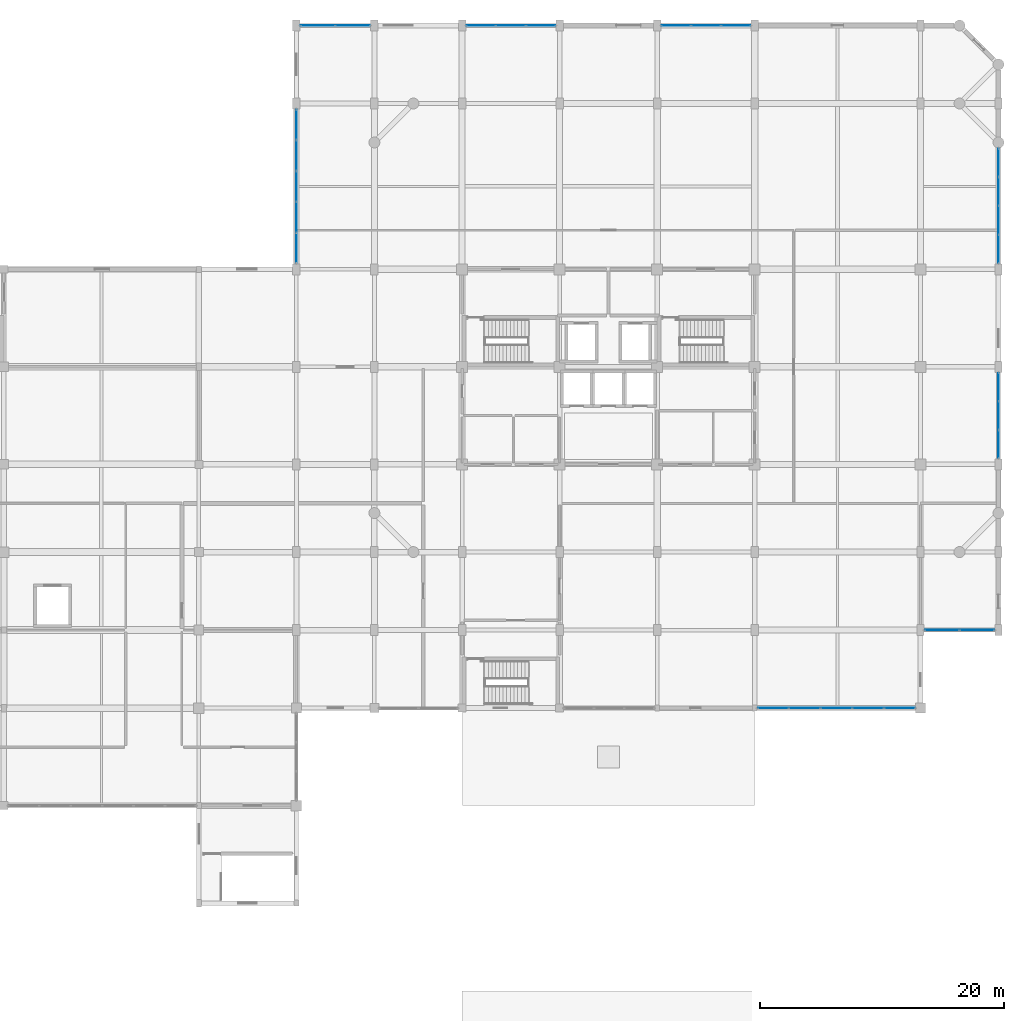
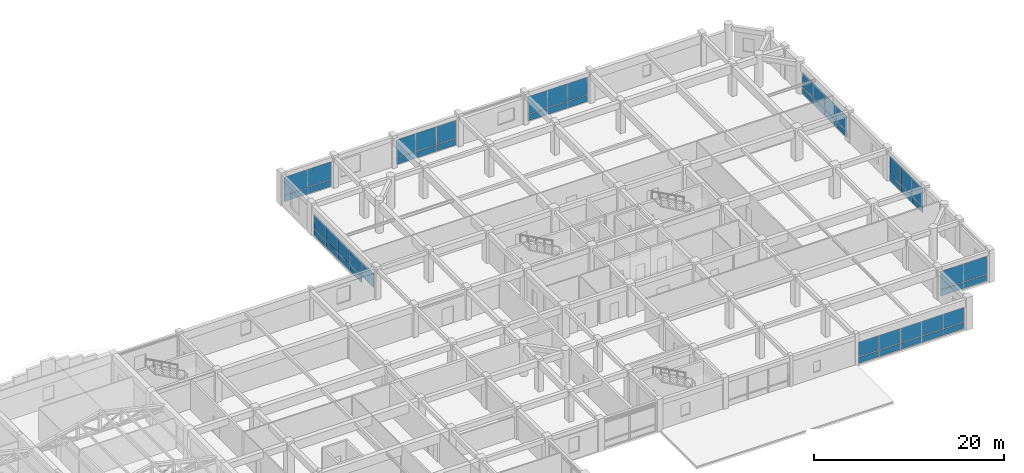
# One storey, part 21 of 35: 53 plates, 8 elements without a shape of their own.
"""IFC4 building model written with IfcOpenShell, lengths in metres."""

from ifc_helpers import new_model, si_unit, direction, frame, origin, origin_2d, place, context, subcontext, project, spatial, rectangle, extrude, material, layer, layer_set, type_object, element, aggregate, save


model = new_model("IFC4")

# Units and contexts
model_context = context("Model", 3, precision=1e-05, world=origin(), true_north=direction((0.0, 1.0)))
body_context = subcontext(model_context, "Body", "Model", "MODEL_VIEW")
ifc_project = project(units=[si_unit("LENGTHUNIT", "METRE"), si_unit("AREAUNIT", "SQUARE_METRE"), si_unit("VOLUMEUNIT", "CUBIC_METRE"), si_unit("PLANEANGLEUNIT", "RADIAN"), si_unit("MASSUNIT", "GRAM", prefix="KILO")], contexts=[model_context])

# Site, building, storey
site_placement = place(None, origin())
site = spatial("IfcSite", under=ifc_project, at=site_placement, CompositionType="ELEMENT")
building_placement = place(site_placement, origin())
building = spatial("IfcBuilding", under=site, at=building_placement, Name="Vellmiral Cinema and Media Centre", CompositionType="ELEMENT")
storey_placement = place(building_placement, frame((0.0, 0.0, 15.60009765625)))
storey = spatial("IfcBuildingStorey", under=building, at=storey_placement, Name="L03", CompositionType="ELEMENT", Elevation=15.60009765625)

# Curtain wall, plates
ifc_material_1 = material(Name="Thermally Broken Aluminium and Triple Glazing", Category="aluminium")
curtain_wall_type_1 = type_object("IfcCurtainWallType", Name="CW-LIB-BAY", PredefinedType="USERDEFINED", material=ifc_material_1)
curtain_wall_1_placement = place(storey_placement, origin())
curtain_wall_1 = element("IfcCurtainWall", 1, at=curtain_wall_1_placement, inside=storey, type_object=curtain_wall_type_1, Name="Curtain Wall L03-B018", ObjectType="STICK CURTAIN WALL", PredefinedType="USERDEFINED")
ifc_material_2 = material(Name="Laminated Studio Acoustic Glazing", Category="glass")
ifc_layer_1 = layer(ifc_material_2, 0.0439453125, Name="Laminated Studio Acoustic Glazing")
ifc_layer_set_1 = layer_set([ifc_layer_1], Name="Laminated Studio Acoustic Glazing")
plate_type_1 = type_object("IfcPlateType", Name="CWP-ACOUST-44", PredefinedType="CURTAIN_PANEL", material=ifc_layer_set_1)
plate_1_placement = place(storey_placement, frame((163.367431640625, 65.60009765625, 0.93505859375), z_axis=(0.0, 0.0, 1.0), x_axis=(1.0, 0.0, 0.0)))
plate_1 = element("IfcPlate", 2, at=plate_1_placement, type_object=plate_type_1, Name="CW-03 panel 1.2", PredefinedType="CURTAIN_PANEL", context=body_context, shape_type="SweptSolid", body=[
    extrude(rectangle(XDim=2.794921875, YDim=0.0439453125, at=origin_2d()), origin(), (0.0, 0.0, 1.0), 2.294921875),
])
plate_2_placement = place(storey_placement, frame((166.232421875, 65.60009765625, 0.93505859375), z_axis=(0.0, 0.0, 1.0), x_axis=(1.0, 0.0, 0.0)))
plate_2 = element("IfcPlate", 3, at=plate_2_placement, type_object=plate_type_1, Name="CW-03 panel 2.2", PredefinedType="CURTAIN_PANEL", context=body_context, shape_type="SweptSolid", body=[
    extrude(rectangle(XDim=2.794921875, YDim=0.0439453125, at=origin_2d()), origin(), (0.0, 0.0, 1.0), 2.294921875),
])

curtain_wall_2_placement = place(storey_placement, origin())
curtain_wall_2 = element("IfcCurtainWall", 4, at=curtain_wall_2_placement, inside=storey, type_object=curtain_wall_type_1, Name="Curtain Wall L03-B022", ObjectType="STICK CURTAIN WALL", PredefinedType="USERDEFINED")
plate_3_placement = place(storey_placement, frame((168.0, 80.850830078125, 0.93505859375), z_axis=(0.0, 0.0, 1.0), x_axis=(0.0, 1.0, 0.0)))
plate_3 = element("IfcPlate", 5, at=plate_3_placement, type_object=plate_type_1, Name="CW-03 panel 1.2", PredefinedType="CURTAIN_PANEL", context=body_context, shape_type="SweptSolid", body=[
    extrude(rectangle(XDim=2.26171875, YDim=0.0439453125, at=origin_2d()), origin(), (0.0, 0.0, 1.0), 2.294921875),
])
plate_4_placement = place(storey_placement, frame((168.0, 83.199951171875, 0.93505859375), z_axis=(0.0, 0.0, 1.0), x_axis=(0.0, 1.0, 0.0)))
plate_4 = element("IfcPlate", 6, at=plate_4_placement, type_object=plate_type_1, Name="CW-03 panel 2.2", PredefinedType="CURTAIN_PANEL", context=body_context, shape_type="SweptSolid", body=[
    extrude(rectangle(XDim=2.296630859375, YDim=0.0439453125, at=origin_2d()), origin(), (0.0, 0.0, 1.0), 2.294921875),
])
plate_5_placement = place(storey_placement, frame((168.0, 85.549072265625, 0.93505859375), z_axis=(0.0, 0.0, 1.0), x_axis=(0.0, 1.0, 0.0)))
plate_5 = element("IfcPlate", 7, at=plate_5_placement, type_object=plate_type_1, Name="CW-03 panel 3.2", PredefinedType="CURTAIN_PANEL", context=body_context, shape_type="SweptSolid", body=[
    extrude(rectangle(XDim=2.26171875, YDim=0.0439453125, at=origin_2d()), origin(), (0.0, 0.0, 1.0), 2.294921875),
])

curtain_wall_3_placement = place(storey_placement, origin())
curtain_wall_3 = element("IfcCurtainWall", 8, at=curtain_wall_3_placement, inside=storey, type_object=curtain_wall_type_1, Name="Curtain Wall L03-B024", ObjectType="STICK CURTAIN WALL", PredefinedType="USERDEFINED")
plate_6_placement = place(storey_placement, frame((168.0, 96.85498046875, 0.93505859375), z_axis=(0.0, 0.0, 1.0), x_axis=(0.0, 1.0, 0.0)))
plate_6 = element("IfcPlate", 9, at=plate_6_placement, type_object=plate_type_1, Name="CW-03 panel 1.2", PredefinedType="CURTAIN_PANEL", context=body_context, shape_type="SweptSolid", body=[
    extrude(rectangle(XDim=2.27001953125, YDim=0.0439453125, at=origin_2d()), origin(), (0.0, 0.0, 1.0), 1.8798828125),
])
plate_7_placement = place(storey_placement, frame((168.0, 99.21240234375, 0.93505859375), z_axis=(0.0, 0.0, 1.0), x_axis=(0.0, 1.0, 0.0)))
plate_7 = element("IfcPlate", 10, at=plate_7_placement, type_object=plate_type_1, Name="CW-03 panel 2.2", PredefinedType="CURTAIN_PANEL", context=body_context, shape_type="SweptSolid", body=[
    extrude(rectangle(XDim=2.304931640625, YDim=0.0439453125, at=origin_2d()), origin(), (0.0, 0.0, 1.0), 1.8798828125),
])
plate_8_placement = place(storey_placement, frame((168.0, 101.58740234375, 0.93505859375), z_axis=(0.0, 0.0, 1.0), x_axis=(0.0, 1.0, 0.0)))
plate_8 = element("IfcPlate", 11, at=plate_8_placement, type_object=plate_type_1, Name="CW-03 panel 3.2", PredefinedType="CURTAIN_PANEL", context=body_context, shape_type="SweptSolid", body=[
    extrude(rectangle(XDim=2.304931640625, YDim=0.0439453125, at=origin_2d()), origin(), (0.0, 0.0, 1.0), 1.8798828125),
])
plate_9_placement = place(storey_placement, frame((168.0, 103.945068359375, 0.93505859375), z_axis=(0.0, 0.0, 1.0), x_axis=(0.0, 1.0, 0.0)))
plate_9 = element("IfcPlate", 12, at=plate_9_placement, type_object=plate_type_1, Name="CW-03 panel 4.2", PredefinedType="CURTAIN_PANEL", context=body_context, shape_type="SweptSolid", body=[
    extrude(rectangle(XDim=2.27001953125, YDim=0.0439453125, at=origin_2d()), origin(), (0.0, 0.0, 1.0), 1.8798828125),
])

curtain_wall_4_placement = place(storey_placement, origin())
curtain_wall_4 = element("IfcCurtainWall", 13, at=curtain_wall_4_placement, inside=storey, type_object=curtain_wall_type_1, Name="Curtain Wall L03-B030", ObjectType="STICK CURTAIN WALL", PredefinedType="USERDEFINED")
plate_10_placement = place(storey_placement, frame((146.44921875, 115.199951171875, 0.93505859375), z_axis=(0.0, 0.0, 1.0), x_axis=(-1.0, 0.0, 0.0)))
plate_10 = element("IfcPlate", 14, at=plate_10_placement, type_object=plate_type_1, Name="CW-03 panel 1.2", PredefinedType="CURTAIN_PANEL", context=body_context, shape_type="SweptSolid", body=[
    extrude(rectangle(XDim=2.361572265625, YDim=0.0439453125, at=origin_2d()), origin(), (0.0, 0.0, 1.0), 2.280029296875),
])
plate_11_placement = place(storey_placement, frame((144.0, 115.199951171875, 0.93505859375), z_axis=(0.0, 0.0, 1.0), x_axis=(-1.0, 0.0, 0.0)))
plate_11 = element("IfcPlate", 15, at=plate_11_placement, type_object=plate_type_1, Name="CW-03 panel 2.2", PredefinedType="CURTAIN_PANEL", context=body_context, shape_type="SweptSolid", body=[
    extrude(rectangle(XDim=2.396728515625, YDim=0.0439453125, at=origin_2d()), origin(), (0.0, 0.0, 1.0), 2.280029296875),
])
plate_12_placement = place(storey_placement, frame((141.55078125, 115.199951171875, 0.93505859375), z_axis=(0.0, 0.0, 1.0), x_axis=(-1.0, 0.0, 0.0)))
plate_12 = element("IfcPlate", 16, at=plate_12_placement, type_object=plate_type_1, Name="CW-03 panel 3.2", PredefinedType="CURTAIN_PANEL", context=body_context, shape_type="SweptSolid", body=[
    extrude(rectangle(XDim=2.361572265625, YDim=0.0439453125, at=origin_2d()), origin(), (0.0, 0.0, 1.0), 2.280029296875),
])

curtain_wall_5_placement = place(storey_placement, origin())
curtain_wall_5 = element("IfcCurtainWall", 17, at=curtain_wall_5_placement, inside=storey, type_object=curtain_wall_type_1, Name="Curtain Wall L03-B032", ObjectType="STICK CURTAIN WALL", PredefinedType="USERDEFINED")
plate_13_placement = place(storey_placement, frame((130.44921875, 115.199951171875, 0.93505859375), z_axis=(0.0, 0.0, 1.0), x_axis=(-1.0, 0.0, 0.0)))
plate_13 = element("IfcPlate", 18, at=plate_13_placement, type_object=plate_type_1, Name="CW-03 panel 1.2", PredefinedType="CURTAIN_PANEL", context=body_context, shape_type="SweptSolid", body=[
    extrude(rectangle(XDim=2.361572265625, YDim=0.0439453125, at=origin_2d()), origin(), (0.0, 0.0, 1.0), 2.294921875),
])
plate_14_placement = place(storey_placement, frame((128.0, 115.199951171875, 0.93505859375), z_axis=(0.0, 0.0, 1.0), x_axis=(-1.0, 0.0, 0.0)))
plate_14 = element("IfcPlate", 19, at=plate_14_placement, type_object=plate_type_1, Name="CW-03 panel 2.2", PredefinedType="CURTAIN_PANEL", context=body_context, shape_type="SweptSolid", body=[
    extrude(rectangle(XDim=2.396728515625, YDim=0.0439453125, at=origin_2d()), origin(), (0.0, 0.0, 1.0), 2.294921875),
])
plate_15_placement = place(storey_placement, frame((125.55078125, 115.199951171875, 0.93505859375), z_axis=(0.0, 0.0, 1.0), x_axis=(-1.0, 0.0, 0.0)))
plate_15 = element("IfcPlate", 20, at=plate_15_placement, type_object=plate_type_1, Name="CW-03 panel 3.2", PredefinedType="CURTAIN_PANEL", context=body_context, shape_type="SweptSolid", body=[
    extrude(rectangle(XDim=2.361572265625, YDim=0.0439453125, at=origin_2d()), origin(), (0.0, 0.0, 1.0), 2.294921875),
])

curtain_wall_6_placement = place(storey_placement, origin())
curtain_wall_6 = element("IfcCurtainWall", 21, at=curtain_wall_6_placement, inside=storey, type_object=curtain_wall_type_1, Name="Curtain Wall L03-B034", ObjectType="STICK CURTAIN WALL", PredefinedType="USERDEFINED")
plate_16_placement = place(storey_placement, frame((115.032470703125, 115.199951171875, 0.93505859375), z_axis=(0.0, 0.0, 1.0), x_axis=(-1.0, 0.0, 0.0)))
plate_16 = element("IfcPlate", 22, at=plate_16_placement, type_object=plate_type_1, Name="CW-03 panel 1.2", PredefinedType="CURTAIN_PANEL", context=body_context, shape_type="SweptSolid", body=[
    extrude(rectangle(XDim=2.794921875, YDim=0.0439453125, at=origin_2d()), origin(), (0.0, 0.0, 1.0), 2.294921875),
])
plate_17_placement = place(storey_placement, frame((112.16748046875, 115.199951171875, 0.93505859375), z_axis=(0.0, 0.0, 1.0), x_axis=(-1.0, 0.0, 0.0)))
plate_17 = element("IfcPlate", 23, at=plate_17_placement, type_object=plate_type_1, Name="CW-03 panel 2.2", PredefinedType="CURTAIN_PANEL", context=body_context, shape_type="SweptSolid", body=[
    extrude(rectangle(XDim=2.794921875, YDim=0.0439453125, at=origin_2d()), origin(), (0.0, 0.0, 1.0), 2.294921875),
])

curtain_wall_7_placement = place(storey_placement, origin())
curtain_wall_7 = element("IfcCurtainWall", 24, at=curtain_wall_7_placement, inside=storey, type_object=curtain_wall_type_1, Name="Curtain Wall L03-B036", ObjectType="STICK CURTAIN WALL", PredefinedType="USERDEFINED")
plate_18_placement = place(storey_placement, frame((110.39990234375, 107.0625, 0.934814453125), z_axis=(0.0, 0.0, 1.0), x_axis=(0.0, -1.0, 0.0)))
plate_18 = element("IfcPlate", 25, at=plate_18_placement, type_object=plate_type_1, Name="CW-03 panel 1.2", PredefinedType="CURTAIN_PANEL", context=body_context, shape_type="SweptSolid", body=[
    extrude(rectangle(XDim=2.43505859375, YDim=0.0439453125, at=origin_2d()), origin(), (0.0, 0.0, 1.0), 1.830078125),
])
plate_19_placement = place(storey_placement, frame((110.39990234375, 104.5400390625, 0.934814453125), z_axis=(0.0, 0.0, 1.0), x_axis=(0.0, -1.0, 0.0)))
plate_19 = element("IfcPlate", 26, at=plate_19_placement, type_object=plate_type_1, Name="CW-03 panel 2.2", PredefinedType="CURTAIN_PANEL", context=body_context, shape_type="SweptSolid", body=[
    extrude(rectangle(XDim=2.469970703125, YDim=0.0439453125, at=origin_2d()), origin(), (0.0, 0.0, 1.0), 1.830078125),
])
plate_20_placement = place(storey_placement, frame((110.39990234375, 102.0, 0.934814453125), z_axis=(0.0, 0.0, 1.0), x_axis=(0.0, -1.0, 0.0)))
plate_20 = element("IfcPlate", 27, at=plate_20_placement, type_object=plate_type_1, Name="CW-03 panel 3.2", PredefinedType="CURTAIN_PANEL", context=body_context, shape_type="SweptSolid", body=[
    extrude(rectangle(XDim=2.469970703125, YDim=0.0439453125, at=origin_2d()), origin(), (0.0, 0.0, 1.0), 1.830078125),
])
plate_21_placement = place(storey_placement, frame((110.39990234375, 99.4599609375, 0.934814453125), z_axis=(0.0, 0.0, 1.0), x_axis=(0.0, -1.0, 0.0)))
plate_21 = element("IfcPlate", 28, at=plate_21_placement, type_object=plate_type_1, Name="CW-03 panel 4.2", PredefinedType="CURTAIN_PANEL", context=body_context, shape_type="SweptSolid", body=[
    extrude(rectangle(XDim=2.469970703125, YDim=0.0439453125, at=origin_2d()), origin(), (0.0, 0.0, 1.0), 1.830078125),
])
plate_22_placement = place(storey_placement, frame((110.39990234375, 96.9375, 0.934814453125), z_axis=(0.0, 0.0, 1.0), x_axis=(0.0, -1.0, 0.0)))
plate_22 = element("IfcPlate", 29, at=plate_22_placement, type_object=plate_type_1, Name="CW-03 panel 5.2", PredefinedType="CURTAIN_PANEL", context=body_context, shape_type="SweptSolid", body=[
    extrude(rectangle(XDim=2.43505859375, YDim=0.0439453125, at=origin_2d()), origin(), (0.0, 0.0, 1.0), 1.830078125),
])

# Plate
ifc_material_3 = material(Name="Honed Vosges Sandstone Spandrel Panel", Category="masonry")
ifc_layer_2 = layer(ifc_material_3, 0.06005859375, Name="Honed Vosges Sandstone Spandrel Panel")
ifc_layer_set_2 = layer_set([ifc_layer_2], Name="Honed Vosges Sandstone Spandrel Panel")
plate_type_2 = type_object("IfcPlateType", Name="CWP-SAND-60", PredefinedType="CURTAIN_PANEL", material=ifc_layer_set_2)
plate_23_placement = place(storey_placement, frame((163.367431640625, 65.60009765625, 0.06982421875), z_axis=(0.0, 0.0, 1.0), x_axis=(1.0, 0.0, 0.0)))
plate_23 = element("IfcPlate", 30, at=plate_23_placement, type_object=plate_type_2, Name="CW-03 panel 1.1", PredefinedType="CURTAIN_PANEL", context=body_context, shape_type="SweptSolid", body=[
    extrude(rectangle(XDim=2.794921875, YDim=0.06005859375, at=origin_2d()), origin(), (0.0, 0.0, 1.0), 0.794921875),
])

plate_24_placement = place(storey_placement, frame((166.232421875, 65.60009765625, 0.06982421875), z_axis=(0.0, 0.0, 1.0), x_axis=(1.0, 0.0, 0.0)))
plate_24 = element("IfcPlate", 31, at=plate_24_placement, type_object=plate_type_2, Name="CW-03 panel 2.1", PredefinedType="CURTAIN_PANEL", context=body_context, shape_type="SweptSolid", body=[
    extrude(rectangle(XDim=2.794921875, YDim=0.06005859375, at=origin_2d()), origin(), (0.0, 0.0, 1.0), 0.794921875),
])

aggregate(curtain_wall_1, [plate_23, plate_1, plate_24, plate_2])

plate_25_placement = place(storey_placement, frame((168.0, 80.850830078125, 0.06982421875), z_axis=(0.0, 0.0, 1.0), x_axis=(0.0, 1.0, 0.0)))
plate_25 = element("IfcPlate", 32, at=plate_25_placement, type_object=plate_type_2, Name="CW-03 panel 1.1", PredefinedType="CURTAIN_PANEL", context=body_context, shape_type="SweptSolid", body=[
    extrude(rectangle(XDim=2.26171875, YDim=0.06005859375, at=origin_2d()), origin(), (0.0, 0.0, 1.0), 0.794921875),
])

plate_26_placement = place(storey_placement, frame((168.0, 83.199951171875, 0.06982421875), z_axis=(0.0, 0.0, 1.0), x_axis=(0.0, 1.0, 0.0)))
plate_26 = element("IfcPlate", 33, at=plate_26_placement, type_object=plate_type_2, Name="CW-03 panel 2.1", PredefinedType="CURTAIN_PANEL", context=body_context, shape_type="SweptSolid", body=[
    extrude(rectangle(XDim=2.296630859375, YDim=0.06005859375, at=origin_2d()), origin(), (0.0, 0.0, 1.0), 0.794921875),
])

plate_27_placement = place(storey_placement, frame((168.0, 85.549072265625, 0.06982421875), z_axis=(0.0, 0.0, 1.0), x_axis=(0.0, 1.0, 0.0)))
plate_27 = element("IfcPlate", 34, at=plate_27_placement, type_object=plate_type_2, Name="CW-03 panel 3.1", PredefinedType="CURTAIN_PANEL", context=body_context, shape_type="SweptSolid", body=[
    extrude(rectangle(XDim=2.26171875, YDim=0.06005859375, at=origin_2d()), origin(), (0.0, 0.0, 1.0), 0.794921875),
])

aggregate(curtain_wall_2, [plate_25, plate_3, plate_26, plate_4, plate_27, plate_5])

plate_28_placement = place(storey_placement, frame((168.0, 96.85498046875, 0.06982421875), z_axis=(0.0, 0.0, 1.0), x_axis=(0.0, 1.0, 0.0)))
plate_28 = element("IfcPlate", 35, at=plate_28_placement, type_object=plate_type_2, Name="CW-03 panel 1.1", PredefinedType="CURTAIN_PANEL", context=body_context, shape_type="SweptSolid", body=[
    extrude(rectangle(XDim=2.27001953125, YDim=0.06005859375, at=origin_2d()), origin(), (0.0, 0.0, 1.0), 0.794921875),
])

plate_29_placement = place(storey_placement, frame((168.0, 99.21240234375, 0.06982421875), z_axis=(0.0, 0.0, 1.0), x_axis=(0.0, 1.0, 0.0)))
plate_29 = element("IfcPlate", 36, at=plate_29_placement, type_object=plate_type_2, Name="CW-03 panel 2.1", PredefinedType="CURTAIN_PANEL", context=body_context, shape_type="SweptSolid", body=[
    extrude(rectangle(XDim=2.304931640625, YDim=0.06005859375, at=origin_2d()), origin(), (0.0, 0.0, 1.0), 0.794921875),
])

plate_30_placement = place(storey_placement, frame((168.0, 101.58740234375, 0.06982421875), z_axis=(0.0, 0.0, 1.0), x_axis=(0.0, 1.0, 0.0)))
plate_30 = element("IfcPlate", 37, at=plate_30_placement, type_object=plate_type_2, Name="CW-03 panel 3.1", PredefinedType="CURTAIN_PANEL", context=body_context, shape_type="SweptSolid", body=[
    extrude(rectangle(XDim=2.304931640625, YDim=0.06005859375, at=origin_2d()), origin(), (0.0, 0.0, 1.0), 0.794921875),
])

plate_31_placement = place(storey_placement, frame((168.0, 103.945068359375, 0.06982421875), z_axis=(0.0, 0.0, 1.0), x_axis=(0.0, 1.0, 0.0)))
plate_31 = element("IfcPlate", 38, at=plate_31_placement, type_object=plate_type_2, Name="CW-03 panel 4.1", PredefinedType="CURTAIN_PANEL", context=body_context, shape_type="SweptSolid", body=[
    extrude(rectangle(XDim=2.27001953125, YDim=0.06005859375, at=origin_2d()), origin(), (0.0, 0.0, 1.0), 0.794921875),
])

aggregate(curtain_wall_3, [plate_28, plate_6, plate_29, plate_7, plate_30, plate_8, plate_31, plate_9])

plate_32_placement = place(storey_placement, frame((146.44921875, 115.199951171875, 0.06982421875), z_axis=(0.0, 0.0, 1.0), x_axis=(-1.0, 0.0, 0.0)))
plate_32 = element("IfcPlate", 39, at=plate_32_placement, type_object=plate_type_2, Name="CW-03 panel 1.1", PredefinedType="CURTAIN_PANEL", context=body_context, shape_type="SweptSolid", body=[
    extrude(rectangle(XDim=2.361572265625, YDim=0.06005859375, at=origin_2d()), origin(), (0.0, 0.0, 1.0), 0.794921875),
])

plate_33_placement = place(storey_placement, frame((144.0, 115.199951171875, 0.06982421875), z_axis=(0.0, 0.0, 1.0), x_axis=(-1.0, 0.0, 0.0)))
plate_33 = element("IfcPlate", 40, at=plate_33_placement, type_object=plate_type_2, Name="CW-03 panel 2.1", PredefinedType="CURTAIN_PANEL", context=body_context, shape_type="SweptSolid", body=[
    extrude(rectangle(XDim=2.396728515625, YDim=0.06005859375, at=origin_2d()), origin(), (0.0, 0.0, 1.0), 0.794921875),
])

plate_34_placement = place(storey_placement, frame((141.55078125, 115.199951171875, 0.06982421875), z_axis=(0.0, 0.0, 1.0), x_axis=(-1.0, 0.0, 0.0)))
plate_34 = element("IfcPlate", 41, at=plate_34_placement, type_object=plate_type_2, Name="CW-03 panel 3.1", PredefinedType="CURTAIN_PANEL", context=body_context, shape_type="SweptSolid", body=[
    extrude(rectangle(XDim=2.361572265625, YDim=0.06005859375, at=origin_2d()), origin(), (0.0, 0.0, 1.0), 0.794921875),
])

aggregate(curtain_wall_4, [plate_32, plate_10, plate_33, plate_11, plate_34, plate_12])

plate_35_placement = place(storey_placement, frame((130.44921875, 115.199951171875, 0.06982421875), z_axis=(0.0, 0.0, 1.0), x_axis=(-1.0, 0.0, 0.0)))
plate_35 = element("IfcPlate", 42, at=plate_35_placement, type_object=plate_type_2, Name="CW-03 panel 1.1", PredefinedType="CURTAIN_PANEL", context=body_context, shape_type="SweptSolid", body=[
    extrude(rectangle(XDim=2.361572265625, YDim=0.06005859375, at=origin_2d()), origin(), (0.0, 0.0, 1.0), 0.794921875),
])

plate_36_placement = place(storey_placement, frame((128.0, 115.199951171875, 0.06982421875), z_axis=(0.0, 0.0, 1.0), x_axis=(-1.0, 0.0, 0.0)))
plate_36 = element("IfcPlate", 43, at=plate_36_placement, type_object=plate_type_2, Name="CW-03 panel 2.1", PredefinedType="CURTAIN_PANEL", context=body_context, shape_type="SweptSolid", body=[
    extrude(rectangle(XDim=2.396728515625, YDim=0.06005859375, at=origin_2d()), origin(), (0.0, 0.0, 1.0), 0.794921875),
])

plate_37_placement = place(storey_placement, frame((125.55078125, 115.199951171875, 0.06982421875), z_axis=(0.0, 0.0, 1.0), x_axis=(-1.0, 0.0, 0.0)))
plate_37 = element("IfcPlate", 44, at=plate_37_placement, type_object=plate_type_2, Name="CW-03 panel 3.1", PredefinedType="CURTAIN_PANEL", context=body_context, shape_type="SweptSolid", body=[
    extrude(rectangle(XDim=2.361572265625, YDim=0.06005859375, at=origin_2d()), origin(), (0.0, 0.0, 1.0), 0.794921875),
])

aggregate(curtain_wall_5, [plate_35, plate_13, plate_36, plate_14, plate_37, plate_15])

plate_38_placement = place(storey_placement, frame((115.032470703125, 115.199951171875, 0.06982421875), z_axis=(0.0, 0.0, 1.0), x_axis=(-1.0, 0.0, 0.0)))
plate_38 = element("IfcPlate", 45, at=plate_38_placement, type_object=plate_type_2, Name="CW-03 panel 1.1", PredefinedType="CURTAIN_PANEL", context=body_context, shape_type="SweptSolid", body=[
    extrude(rectangle(XDim=2.794921875, YDim=0.06005859375, at=origin_2d()), origin(), (0.0, 0.0, 1.0), 0.794921875),
])

plate_39_placement = place(storey_placement, frame((112.16748046875, 115.199951171875, 0.06982421875), z_axis=(0.0, 0.0, 1.0), x_axis=(-1.0, 0.0, 0.0)))
plate_39 = element("IfcPlate", 46, at=plate_39_placement, type_object=plate_type_2, Name="CW-03 panel 2.1", PredefinedType="CURTAIN_PANEL", context=body_context, shape_type="SweptSolid", body=[
    extrude(rectangle(XDim=2.794921875, YDim=0.06005859375, at=origin_2d()), origin(), (0.0, 0.0, 1.0), 0.794921875),
])

aggregate(curtain_wall_6, [plate_38, plate_16, plate_39, plate_17])

plate_40_placement = place(storey_placement, frame((110.39990234375, 107.0625, 0.06982421875), z_axis=(0.0, 0.0, 1.0), x_axis=(0.0, -1.0, 0.0)))
plate_40 = element("IfcPlate", 47, at=plate_40_placement, type_object=plate_type_2, Name="CW-03 panel 1.1", PredefinedType="CURTAIN_PANEL", context=body_context, shape_type="SweptSolid", body=[
    extrude(rectangle(XDim=2.43505859375, YDim=0.06005859375, at=origin_2d()), origin(), (0.0, 0.0, 1.0), 0.794921875),
])

plate_41_placement = place(storey_placement, frame((110.39990234375, 104.5400390625, 0.06982421875), z_axis=(0.0, 0.0, 1.0), x_axis=(0.0, -1.0, 0.0)))
plate_41 = element("IfcPlate", 48, at=plate_41_placement, type_object=plate_type_2, Name="CW-03 panel 2.1", PredefinedType="CURTAIN_PANEL", context=body_context, shape_type="SweptSolid", body=[
    extrude(rectangle(XDim=2.469970703125, YDim=0.06005859375, at=origin_2d()), origin(), (0.0, 0.0, 1.0), 0.794921875),
])

plate_42_placement = place(storey_placement, frame((110.39990234375, 102.0, 0.06982421875), z_axis=(0.0, 0.0, 1.0), x_axis=(0.0, -1.0, 0.0)))
plate_42 = element("IfcPlate", 49, at=plate_42_placement, type_object=plate_type_2, Name="CW-03 panel 3.1", PredefinedType="CURTAIN_PANEL", context=body_context, shape_type="SweptSolid", body=[
    extrude(rectangle(XDim=2.469970703125, YDim=0.06005859375, at=origin_2d()), origin(), (0.0, 0.0, 1.0), 0.794921875),
])

plate_43_placement = place(storey_placement, frame((110.39990234375, 99.4599609375, 0.06982421875), z_axis=(0.0, 0.0, 1.0), x_axis=(0.0, -1.0, 0.0)))
plate_43 = element("IfcPlate", 50, at=plate_43_placement, type_object=plate_type_2, Name="CW-03 panel 4.1", PredefinedType="CURTAIN_PANEL", context=body_context, shape_type="SweptSolid", body=[
    extrude(rectangle(XDim=2.469970703125, YDim=0.06005859375, at=origin_2d()), origin(), (0.0, 0.0, 1.0), 0.794921875),
])

aggregate(curtain_wall_7, [plate_40, plate_18, plate_41, plate_19, plate_42, plate_20, plate_43, plate_21, plate_22])

# Curtain wall, plates
ifc_material_4 = material(Name="Thermally Broken Aluminium and Triple Glazing", Category="aluminium")
curtain_wall_type_2 = type_object("IfcCurtainWallType", Name="CW-POD-GALLERY", PredefinedType="USERDEFINED", material=ifc_material_4)
curtain_wall_8_placement = place(storey_placement, origin())
curtain_wall_8 = element("IfcCurtainWall", 51, at=curtain_wall_8_placement, inside=storey, type_object=curtain_wall_type_2, Name="Curtain Wall L03-B016", ObjectType="STICK CURTAIN WALL", PredefinedType="USERDEFINED")
ifc_material_5 = material(Name="Polychrome Trencadis Ceramic Spandrel Panel", Category="ceramic")
ifc_layer_3 = layer(ifc_material_5, 0.052001953125, Name="Polychrome Trencadis Ceramic Spandrel Panel")
ifc_layer_set_3 = layer_set([ifc_layer_3], Name="Polychrome Trencadis Ceramic Spandrel Panel")
plate_type_3 = type_object("IfcPlateType", Name="CWP-TRENC-52", PredefinedType="CURTAIN_PANEL", material=ifc_layer_set_3)
plate_44_placement = place(storey_placement, frame((149.517578125, 59.199951171875, 0.06982421875), z_axis=(0.0, 0.0, 1.0), x_axis=(1.0, 0.0, 0.0)))
plate_44 = element("IfcPlate", 52, at=plate_44_placement, type_object=plate_type_3, Name="CW-04 panel 1.1", PredefinedType="CURTAIN_PANEL", context=body_context, shape_type="SweptSolid", body=[
    extrude(rectangle(XDim=2.4951171875, YDim=0.052001953125, at=origin_2d()), origin(), (0.0, 0.0, 1.0), 0.794921875),
])
plate_45_placement = place(storey_placement, frame((152.10009765625, 59.199951171875, 0.06982421875), z_axis=(0.0, 0.0, 1.0), x_axis=(1.0, 0.0, 0.0)))
plate_45 = element("IfcPlate", 53, at=plate_45_placement, type_object=plate_type_3, Name="CW-04 panel 2.1", PredefinedType="CURTAIN_PANEL", context=body_context, shape_type="SweptSolid", body=[
    extrude(rectangle(XDim=2.530029296875, YDim=0.052001953125, at=origin_2d()), origin(), (0.0, 0.0, 1.0), 0.794921875),
])
plate_46_placement = place(storey_placement, frame((154.699951171875, 59.199951171875, 0.06982421875), z_axis=(0.0, 0.0, 1.0), x_axis=(1.0, 0.0, 0.0)))
plate_46 = element("IfcPlate", 54, at=plate_46_placement, type_object=plate_type_3, Name="CW-04 panel 3.1", PredefinedType="CURTAIN_PANEL", context=body_context, shape_type="SweptSolid", body=[
    extrude(rectangle(XDim=2.530029296875, YDim=0.052001953125, at=origin_2d()), origin(), (0.0, 0.0, 1.0), 0.794921875),
])
plate_47_placement = place(storey_placement, frame((157.300048828125, 59.199951171875, 0.06982421875), z_axis=(0.0, 0.0, 1.0), x_axis=(1.0, 0.0, 0.0)))
plate_47 = element("IfcPlate", 55, at=plate_47_placement, type_object=plate_type_3, Name="CW-04 panel 4.1", PredefinedType="CURTAIN_PANEL", context=body_context, shape_type="SweptSolid", body=[
    extrude(rectangle(XDim=2.530029296875, YDim=0.052001953125, at=origin_2d()), origin(), (0.0, 0.0, 1.0), 0.794921875),
])
plate_48_placement = place(storey_placement, frame((159.882568359375, 59.199951171875, 0.06982421875), z_axis=(0.0, 0.0, 1.0), x_axis=(1.0, 0.0, 0.0)))
plate_48 = element("IfcPlate", 56, at=plate_48_placement, type_object=plate_type_3, Name="CW-04 panel 5.1", PredefinedType="CURTAIN_PANEL", context=body_context, shape_type="SweptSolid", body=[
    extrude(rectangle(XDim=2.4951171875, YDim=0.052001953125, at=origin_2d()), origin(), (0.0, 0.0, 1.0), 0.794921875),
])
ifc_material_6 = material(Name="Triple Low-E Vision Glazing", Category="glass")
ifc_layer_4 = layer(ifc_material_6, 0.0380859375, Name="Triple Low-E Vision Glazing")
ifc_layer_set_4 = layer_set([ifc_layer_4], Name="Triple Low-E Vision Glazing")
plate_type_4 = type_object("IfcPlateType", Name="CWP-VISION-38", PredefinedType="CURTAIN_PANEL", material=ifc_layer_set_4)
plate_49_placement = place(storey_placement, frame((149.517578125, 59.199951171875, 0.93505859375), z_axis=(0.0, 0.0, 1.0), x_axis=(1.0, 0.0, 0.0)))
plate_49 = element("IfcPlate", 57, at=plate_49_placement, type_object=plate_type_4, Name="CW-04 panel 1.2", PredefinedType="CURTAIN_PANEL", context=body_context, shape_type="SweptSolid", body=[
    extrude(rectangle(XDim=2.4951171875, YDim=0.0380859375, at=origin_2d()), origin(), (0.0, 0.0, 1.0), 1.8798828125),
])
plate_50_placement = place(storey_placement, frame((152.10009765625, 59.199951171875, 0.93505859375), z_axis=(0.0, 0.0, 1.0), x_axis=(1.0, 0.0, 0.0)))
plate_50 = element("IfcPlate", 58, at=plate_50_placement, type_object=plate_type_4, Name="CW-04 panel 2.2", PredefinedType="CURTAIN_PANEL", context=body_context, shape_type="SweptSolid", body=[
    extrude(rectangle(XDim=2.530029296875, YDim=0.0380859375, at=origin_2d()), origin(), (0.0, 0.0, 1.0), 1.8798828125),
])
plate_51_placement = place(storey_placement, frame((154.699951171875, 59.199951171875, 0.93505859375), z_axis=(0.0, 0.0, 1.0), x_axis=(1.0, 0.0, 0.0)))
plate_51 = element("IfcPlate", 59, at=plate_51_placement, type_object=plate_type_4, Name="CW-04 panel 3.2", PredefinedType="CURTAIN_PANEL", context=body_context, shape_type="SweptSolid", body=[
    extrude(rectangle(XDim=2.530029296875, YDim=0.0380859375, at=origin_2d()), origin(), (0.0, 0.0, 1.0), 1.8798828125),
])
plate_52_placement = place(storey_placement, frame((157.300048828125, 59.199951171875, 0.93505859375), z_axis=(0.0, 0.0, 1.0), x_axis=(1.0, 0.0, 0.0)))
plate_52 = element("IfcPlate", 60, at=plate_52_placement, type_object=plate_type_4, Name="CW-04 panel 4.2", PredefinedType="CURTAIN_PANEL", context=body_context, shape_type="SweptSolid", body=[
    extrude(rectangle(XDim=2.530029296875, YDim=0.0380859375, at=origin_2d()), origin(), (0.0, 0.0, 1.0), 1.8798828125),
])
plate_53_placement = place(storey_placement, frame((159.882568359375, 59.199951171875, 0.93505859375), z_axis=(0.0, 0.0, 1.0), x_axis=(1.0, 0.0, 0.0)))
plate_53 = element("IfcPlate", 61, at=plate_53_placement, type_object=plate_type_4, Name="CW-04 panel 5.2", PredefinedType="CURTAIN_PANEL", context=body_context, shape_type="SweptSolid", body=[
    extrude(rectangle(XDim=2.4951171875, YDim=0.0380859375, at=origin_2d()), origin(), (0.0, 0.0, 1.0), 1.8798828125),
])
aggregate(curtain_wall_8, [plate_44, plate_49, plate_45, plate_50, plate_46, plate_51, plate_47, plate_52, plate_48, plate_53])

save(model, "model.ifc")
